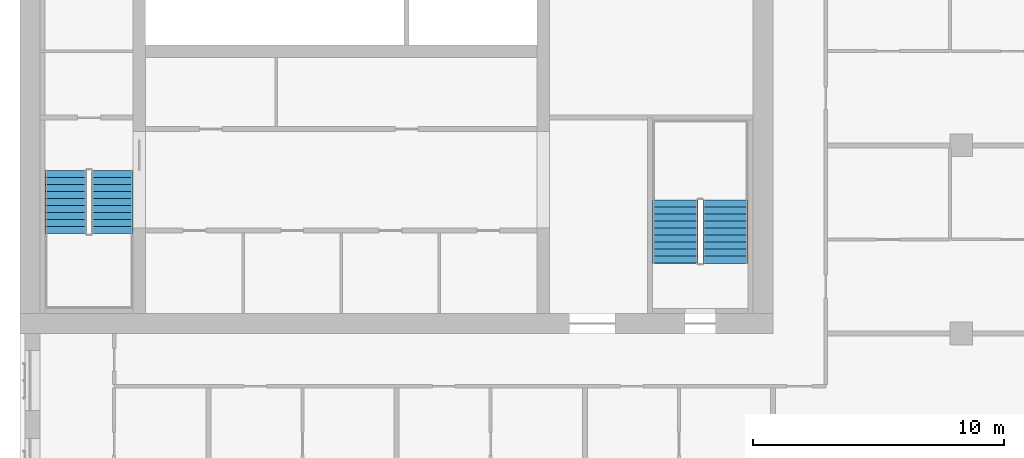
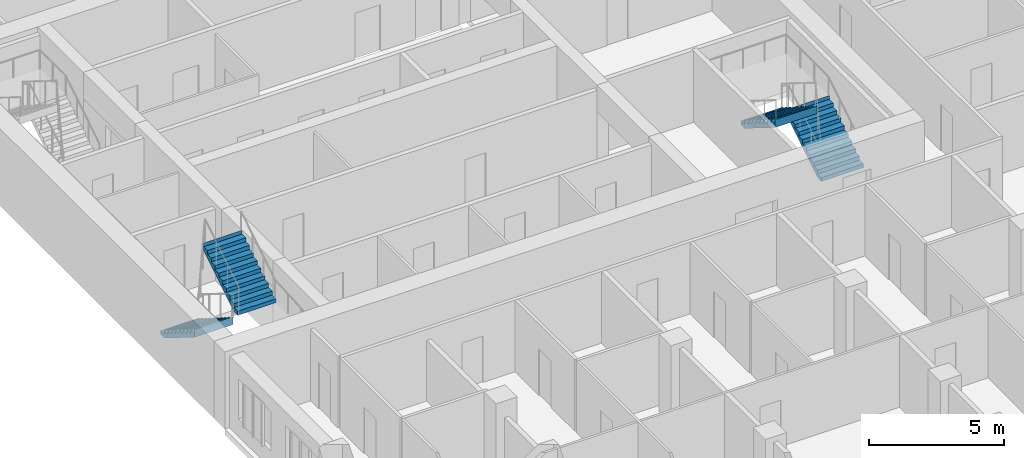
# One storey, part 12 of 14: 4 stair flights, 2 elements without a shape of their own.
"""IFC4 building model written with IfcOpenShell, lengths in metres."""

from ifc_helpers import new_model, si_unit, direction, frame, origin, place, context, subcontext, project, spatial, polyline, outline, extrude, material, type_object, element, aggregate, save


model = new_model("IFC4")

# Units and contexts
model_context = context("Model", 3, precision=1e-05, world=origin(), true_north=direction((0.0, 1.0)))
body_context = subcontext(model_context, "Body", "Model", "MODEL_VIEW")
ifc_project = project(units=[si_unit("LENGTHUNIT", "METRE"), si_unit("AREAUNIT", "SQUARE_METRE"), si_unit("VOLUMEUNIT", "CUBIC_METRE"), si_unit("PLANEANGLEUNIT", "RADIAN"), si_unit("MASSUNIT", "GRAM", prefix="KILO")], contexts=[model_context])

# Site, building, storey
site_placement = place(None, origin())
site = spatial("IfcSite", under=ifc_project, at=site_placement, CompositionType="ELEMENT")
building_placement = place(site_placement, origin())
building = spatial("IfcBuilding", under=site, at=building_placement, Name="Tamorin Gate", CompositionType="ELEMENT")
storey_placement = place(building_placement, frame((0.0, 0.0, 186.199951171875)))
storey = spatial("IfcBuildingStorey", under=building, at=storey_placement, Name="L45", CompositionType="ELEMENT", Elevation=186.199951171875)

# Stair, stair flights
ifc_material = material(Name="Concrete C40/50", Category="concrete")
stair_type = type_object("IfcStairType", Name="Exit stair", PredefinedType="HALF_TURN_STAIR", material=ifc_material)
stair_1_placement = place(storey_placement, origin())
stair_1 = element("IfcStair", 1, at=stair_1_placement, inside=storey, type_object=stair_type, Name="L45 stair ST1", PredefinedType="HALF_TURN_STAIR")
stair_flight_type = type_object("IfcStairFlightType", Name="Exit stair flight", PredefinedType="STRAIGHT", material=ifc_material)
stair_flight_1_placement = place(storey_placement, frame((31.824951171875, 66.5, 0.0), z_axis=(0.0, 0.0, 1.0), x_axis=(0.0, -1.0, 0.0)))
stair_flight_1 = element("IfcStairFlight", 2, at=stair_flight_1_placement, type_object=stair_flight_type, Name="ST1 flight 1", NumberOfRisers=10, NumberOfTreads=9, PredefinedType="STRAIGHT", RiserHeight=0.175, TreadLength=0.28, context=body_context, shape_type="SweptSolid", body=[
    extrude(outline(polyline([(-0.00048828125, 0.0), (-0.00048828125, 0.001708984375), (-0.00048828125, 0.00341796875), (-0.00048828125, 0.005126953125), (-0.00048828125, 0.0068359375), (-0.00048828125, 0.008544921875), (-0.00048828125, 0.010498046875), (-0.00048828125, 0.01220703125), (-0.00048828125, 0.013916015625), (-0.00048828125, 0.015625), (-0.00048828125, 0.017333984375), (-0.00048828125, 0.01904296875), (-0.00048828125, 0.020751953125), (-0.00048828125, 0.0224609375), (-0.00048828125, 0.024169921875), (-0.00048828125, 0.02587890625), (-0.00048828125, 0.02783203125), (-0.00048828125, 0.029541015625), (-0.00048828125, 0.03125), (-0.00048828125, 0.032958984375), (-0.00048828125, 0.03466796875), (-0.00048828125, 0.036376953125), (-0.00048828125, 0.0380859375), (-0.00048828125, 0.039794921875), (-0.00048828125, 0.04150390625), (-0.00048828125, 0.043212890625), (-0.00048828125, 0.045166015625), (-0.00048828125, 0.046875), (-0.00048828125, 0.048583984375), (-0.00048828125, 0.05029296875), (-0.00048828125, 0.052001953125), (-0.00048828125, 0.0537109375), (-0.00048828125, 0.055419921875), (-0.00048828125, 0.05712890625), (-0.00048828125, 0.058837890625), (-0.00048828125, 0.060546875), (-0.00048828125, 0.062255859375), (-0.00048828125, 0.064208984375), (-0.00048828125, 0.06591796875), (-0.00048828125, 0.067626953125), (-0.00048828125, 0.0693359375), (-0.00048828125, 0.071044921875), (-0.00048828125, 0.07275390625), (-0.00048828125, 0.074462890625), (-0.00048828125, 0.076171875), (-0.00048828125, 0.077880859375), (-0.00048828125, 0.07958984375), (-0.00048828125, 0.08154296875), (-0.00048828125, 0.083251953125), (-0.00048828125, 0.0849609375), (-0.00048828125, 0.086669921875), (-0.00048828125, 0.08837890625), (-0.00048828125, 0.090087890625), (-0.00048828125, 0.091796875), (-0.00048828125, 0.093505859375), (-0.00048828125, 0.09521484375), (-0.00048828125, 0.096923828125), (-0.00048828125, 0.098876953125), (-0.00048828125, 0.1005859375), (-0.00048828125, 0.102294921875), (-0.00048828125, 0.10400390625), (-0.00048828125, 0.105712890625), (-0.00048828125, 0.107421875), (-0.00048828125, 0.109130859375), (-0.00048828125, 0.11083984375), (-0.00048828125, 0.112548828125), (-0.00048828125, 0.1142578125), (-0.00048828125, 0.1162109375), (-0.00048828125, 0.117919921875), (-0.00048828125, 0.11962890625), (-0.00048828125, 0.121337890625), (-0.00048828125, 0.123046875), (-0.00048828125, 0.124755859375), (-0.00048828125, 0.12646484375), (-0.00048828125, 0.128173828125), (-0.00048828125, 0.1298828125), (-0.00048828125, 0.131591796875), (-0.00048828125, 0.13330078125), (-0.00048828125, 0.13525390625), (-0.00048828125, 0.136962890625), (-0.00048828125, 0.138671875), (-0.00048828125, 0.140380859375), (-0.00048828125, 0.14208984375), (-0.00048828125, 0.143798828125), (-0.00048828125, 0.1455078125), (-0.00048828125, 0.147216796875), (-0.00048828125, 0.14892578125), (-0.00048828125, 0.150634765625), (-0.00048828125, 0.152587890625), (-0.00048828125, 0.154296875), (-0.00048828125, 0.156005859375), (-0.00048828125, 0.15771484375), (-0.00048828125, 0.159423828125), (-0.00048828125, 0.1611328125), (-0.00048828125, 0.162841796875), (-0.00048828125, 0.16455078125), (-0.00048828125, 0.166259765625), (-0.00048828125, 0.16796875), (-0.00048828125, 0.169921875), (-0.00048828125, 0.171630859375), (-0.00048828125, 0.17333984375), (-0.00048828125, 0.175048828125), (0.280029296875, 0.175048828125), (0.280029296875, 0.35009765625), (0.56005859375, 0.35009765625), (0.56005859375, 0.52490234375), (0.840087890625, 0.52490234375), (0.840087890625, 0.699951171875), (1.1201171875, 0.699951171875), (1.1201171875, 0.875), (1.39990234375, 0.875), (1.39990234375, 1.050048828125), (1.679931640625, 1.050048828125), (1.679931640625, 1.22509765625), (1.9599609375, 1.22509765625), (1.9599609375, 1.39990234375), (2.239990234375, 1.39990234375), (2.239990234375, 1.574951171875), (2.52001953125, 1.574951171875), (2.52001953125, 1.75), (2.5205078125, 1.75), (2.5205078125, 1.74658203125), (2.5205078125, 1.742919921875), (2.5205078125, 1.739501953125), (2.5205078125, 1.736083984375), (2.5205078125, 1.732666015625), (2.5205078125, 1.72900390625), (2.5205078125, 1.7255859375), (2.5205078125, 1.72216796875), (2.5205078125, 1.71875), (2.5205078125, 1.715087890625), (2.5205078125, 1.711669921875), (2.5205078125, 1.708251953125), (2.5205078125, 1.704833984375), (2.5205078125, 1.701171875), (2.5205078125, 1.69775390625), (2.5205078125, 1.6943359375), (2.5205078125, 1.690673828125), (2.5205078125, 1.687255859375), (2.5205078125, 1.683837890625), (2.5205078125, 1.680419921875), (2.5205078125, 1.6767578125), (2.5205078125, 1.67333984375), (2.5205078125, 1.669921875), (2.5205078125, 1.66650390625), (2.5205078125, 1.662841796875), (2.5205078125, 1.659423828125), (2.5205078125, 1.656005859375), (2.5205078125, 1.652587890625), (2.5205078125, 1.64892578125), (2.5205078125, 1.6455078125), (2.5205078125, 1.64208984375), (2.5205078125, 1.638427734375), (2.5205078125, 1.635009765625), (2.5205078125, 1.631591796875), (2.5205078125, 1.628173828125), (2.5205078125, 1.62451171875), (2.5205078125, 1.62109375), (2.5205078125, 1.61767578125), (2.5205078125, 1.6142578125), (2.5205078125, 1.610595703125), (2.5205078125, 1.607177734375), (2.5205078125, 1.603759765625), (2.5205078125, 1.600341796875), (2.5205078125, 1.5966796875), (2.5205078125, 1.59326171875), (2.5205078125, 1.58984375), (2.5205078125, 1.58642578125), (2.5205078125, 1.582763671875), (2.5205078125, 1.579345703125), (2.5205078125, 1.575927734375), (2.5205078125, 1.572265625), (2.5205078125, 1.56884765625), (2.5205078125, 1.5654296875), (2.5205078125, 1.56201171875), (2.5205078125, 1.558349609375), (2.5205078125, 1.554931640625), (2.5205078125, 1.551513671875), (2.5205078125, 1.548095703125), (2.5205078125, 1.54443359375), (2.5205078125, 1.541015625), (2.5205078125, 1.53759765625), (2.5205078125, 1.5341796875), (2.5205078125, 1.530517578125), (2.5205078125, 1.527099609375), (2.5205078125, 1.523681640625), (2.5205078125, 1.52001953125), (2.5205078125, 1.5166015625), (2.5205078125, 1.51318359375), (2.5205078125, 1.509765625), (2.5205078125, 1.506103515625), (2.5205078125, 1.502685546875), (2.5205078125, 1.499267578125), (2.5205078125, 1.495849609375), (2.5205078125, 1.4921875), (2.5205078125, 1.48876953125), (2.5205078125, 1.4853515625), (2.5205078125, 1.48193359375), (2.5205078125, 1.478271484375), (2.5205078125, 1.474853515625), (2.5205078125, 1.471435546875), (2.5205078125, 1.4677734375), (2.5205078125, 1.46435546875), (2.5205078125, 1.4609375), (2.5205078125, 1.45751953125), (2.5205078125, 1.453857421875), (2.5205078125, 1.450439453125), (2.5205078125, 1.447021484375), (2.5205078125, 1.443603515625), (2.5205078125, 1.43994140625), (2.5205078125, 1.4365234375), (2.5205078125, 1.43310546875), (2.5205078125, 1.4296875), (2.5205078125, 1.426025390625), (2.5205078125, 1.422607421875), (2.5205078125, 1.419189453125), (2.5205078125, 1.41552734375), (2.5205078125, 1.412109375), (2.5205078125, 1.40869140625), (2.5205078125, 1.4052734375), (2.5205078125, 1.401611328125), (2.5205078125, 1.398193359375), (2.52001953125, 1.398193359375), (0.28271484375, 0.0), (-0.00048828125, 0.0)])), frame((0.0, 0.824951171875, 0.0), z_axis=(0.0, -1.0, 0.0), x_axis=(1.0, 0.0, 0.0)), (0.0, 0.0, 1.0), 1.64990234375),
])
stair_flight_2_placement = place(storey_placement, frame((33.675048828125, 63.97998046875, 1.75), z_axis=(0.0, 0.0, 1.0), x_axis=(0.0, 1.0, 0.0)))
stair_flight_2 = element("IfcStairFlight", 3, at=stair_flight_2_placement, type_object=stair_flight_type, Name="ST1 flight 2", NumberOfRisers=10, NumberOfTreads=9, PredefinedType="STRAIGHT", RiserHeight=0.175, TreadLength=0.28, context=body_context, shape_type="SweptSolid", body=[
    extrude(outline(polyline([(-0.00048828125, 0.0), (-0.00048828125, 0.001708984375), (-0.00048828125, 0.00341796875), (-0.00048828125, 0.005126953125), (-0.00048828125, 0.0068359375), (-0.00048828125, 0.008544921875), (-0.00048828125, 0.010498046875), (-0.00048828125, 0.01220703125), (-0.00048828125, 0.013916015625), (-0.00048828125, 0.015625), (-0.00048828125, 0.017333984375), (-0.00048828125, 0.01904296875), (-0.00048828125, 0.020751953125), (-0.00048828125, 0.0224609375), (-0.00048828125, 0.024169921875), (-0.00048828125, 0.02587890625), (-0.00048828125, 0.02783203125), (-0.00048828125, 0.029541015625), (-0.00048828125, 0.03125), (-0.00048828125, 0.032958984375), (-0.00048828125, 0.03466796875), (-0.00048828125, 0.036376953125), (-0.00048828125, 0.0380859375), (-0.00048828125, 0.039794921875), (-0.00048828125, 0.04150390625), (-0.00048828125, 0.043212890625), (-0.00048828125, 0.045166015625), (-0.00048828125, 0.046875), (-0.00048828125, 0.048583984375), (-0.00048828125, 0.05029296875), (-0.00048828125, 0.052001953125), (-0.00048828125, 0.0537109375), (-0.00048828125, 0.055419921875), (-0.00048828125, 0.05712890625), (-0.00048828125, 0.058837890625), (-0.00048828125, 0.060546875), (-0.00048828125, 0.062255859375), (-0.00048828125, 0.064208984375), (-0.00048828125, 0.06591796875), (-0.00048828125, 0.067626953125), (-0.00048828125, 0.0693359375), (-0.00048828125, 0.071044921875), (-0.00048828125, 0.07275390625), (-0.00048828125, 0.074462890625), (-0.00048828125, 0.076171875), (-0.00048828125, 0.077880859375), (-0.00048828125, 0.07958984375), (-0.00048828125, 0.08154296875), (-0.00048828125, 0.083251953125), (-0.00048828125, 0.0849609375), (-0.00048828125, 0.086669921875), (-0.00048828125, 0.08837890625), (-0.00048828125, 0.090087890625), (-0.00048828125, 0.091796875), (-0.00048828125, 0.093505859375), (-0.00048828125, 0.09521484375), (-0.00048828125, 0.096923828125), (-0.00048828125, 0.098876953125), (-0.00048828125, 0.1005859375), (-0.00048828125, 0.102294921875), (-0.00048828125, 0.10400390625), (-0.00048828125, 0.105712890625), (-0.00048828125, 0.107421875), (-0.00048828125, 0.109130859375), (-0.00048828125, 0.11083984375), (-0.00048828125, 0.112548828125), (-0.00048828125, 0.1142578125), (-0.00048828125, 0.1162109375), (-0.00048828125, 0.117919921875), (-0.00048828125, 0.11962890625), (-0.00048828125, 0.121337890625), (-0.00048828125, 0.123046875), (-0.00048828125, 0.124755859375), (-0.00048828125, 0.12646484375), (-0.00048828125, 0.128173828125), (-0.00048828125, 0.1298828125), (-0.00048828125, 0.131591796875), (-0.00048828125, 0.13330078125), (-0.00048828125, 0.13525390625), (-0.00048828125, 0.136962890625), (-0.00048828125, 0.138671875), (-0.00048828125, 0.140380859375), (-0.00048828125, 0.14208984375), (-0.00048828125, 0.143798828125), (-0.00048828125, 0.1455078125), (-0.00048828125, 0.147216796875), (-0.00048828125, 0.14892578125), (-0.00048828125, 0.150634765625), (-0.00048828125, 0.152587890625), (-0.00048828125, 0.154296875), (-0.00048828125, 0.156005859375), (-0.00048828125, 0.15771484375), (-0.00048828125, 0.159423828125), (-0.00048828125, 0.1611328125), (-0.00048828125, 0.162841796875), (-0.00048828125, 0.16455078125), (-0.00048828125, 0.166259765625), (-0.00048828125, 0.16796875), (-0.00048828125, 0.169921875), (-0.00048828125, 0.171630859375), (-0.00048828125, 0.17333984375), (-0.00048828125, 0.175048828125), (0.280029296875, 0.175048828125), (0.280029296875, 0.35009765625), (0.56005859375, 0.35009765625), (0.56005859375, 0.52490234375), (0.840087890625, 0.52490234375), (0.840087890625, 0.699951171875), (1.1201171875, 0.699951171875), (1.1201171875, 0.875), (1.39990234375, 0.875), (1.39990234375, 1.050048828125), (1.679931640625, 1.050048828125), (1.679931640625, 1.22509765625), (1.9599609375, 1.22509765625), (1.9599609375, 1.39990234375), (2.239990234375, 1.39990234375), (2.239990234375, 1.574951171875), (2.52001953125, 1.574951171875), (2.52001953125, 1.75), (2.5205078125, 1.75), (2.5205078125, 1.74658203125), (2.5205078125, 1.742919921875), (2.5205078125, 1.739501953125), (2.5205078125, 1.736083984375), (2.5205078125, 1.732666015625), (2.5205078125, 1.72900390625), (2.5205078125, 1.7255859375), (2.5205078125, 1.72216796875), (2.5205078125, 1.71875), (2.5205078125, 1.715087890625), (2.5205078125, 1.711669921875), (2.5205078125, 1.708251953125), (2.5205078125, 1.704833984375), (2.5205078125, 1.701171875), (2.5205078125, 1.69775390625), (2.5205078125, 1.6943359375), (2.5205078125, 1.690673828125), (2.5205078125, 1.687255859375), (2.5205078125, 1.683837890625), (2.5205078125, 1.680419921875), (2.5205078125, 1.6767578125), (2.5205078125, 1.67333984375), (2.5205078125, 1.669921875), (2.5205078125, 1.66650390625), (2.5205078125, 1.662841796875), (2.5205078125, 1.659423828125), (2.5205078125, 1.656005859375), (2.5205078125, 1.652587890625), (2.5205078125, 1.64892578125), (2.5205078125, 1.6455078125), (2.5205078125, 1.64208984375), (2.5205078125, 1.638427734375), (2.5205078125, 1.635009765625), (2.5205078125, 1.631591796875), (2.5205078125, 1.628173828125), (2.5205078125, 1.62451171875), (2.5205078125, 1.62109375), (2.5205078125, 1.61767578125), (2.5205078125, 1.6142578125), (2.5205078125, 1.610595703125), (2.5205078125, 1.607177734375), (2.5205078125, 1.603759765625), (2.5205078125, 1.600341796875), (2.5205078125, 1.5966796875), (2.5205078125, 1.59326171875), (2.5205078125, 1.58984375), (2.5205078125, 1.58642578125), (2.5205078125, 1.582763671875), (2.5205078125, 1.579345703125), (2.5205078125, 1.575927734375), (2.5205078125, 1.572265625), (2.5205078125, 1.56884765625), (2.5205078125, 1.5654296875), (2.5205078125, 1.56201171875), (2.5205078125, 1.558349609375), (2.5205078125, 1.554931640625), (2.5205078125, 1.551513671875), (2.5205078125, 1.548095703125), (2.5205078125, 1.54443359375), (2.5205078125, 1.541015625), (2.5205078125, 1.53759765625), (2.5205078125, 1.5341796875), (2.5205078125, 1.530517578125), (2.5205078125, 1.527099609375), (2.5205078125, 1.523681640625), (2.5205078125, 1.52001953125), (2.5205078125, 1.5166015625), (2.5205078125, 1.51318359375), (2.5205078125, 1.509765625), (2.5205078125, 1.506103515625), (2.5205078125, 1.502685546875), (2.5205078125, 1.499267578125), (2.5205078125, 1.495849609375), (2.5205078125, 1.4921875), (2.5205078125, 1.48876953125), (2.5205078125, 1.4853515625), (2.5205078125, 1.48193359375), (2.5205078125, 1.478271484375), (2.5205078125, 1.474853515625), (2.5205078125, 1.471435546875), (2.5205078125, 1.4677734375), (2.5205078125, 1.46435546875), (2.5205078125, 1.4609375), (2.5205078125, 1.45751953125), (2.5205078125, 1.453857421875), (2.5205078125, 1.450439453125), (2.5205078125, 1.447021484375), (2.5205078125, 1.443603515625), (2.5205078125, 1.43994140625), (2.5205078125, 1.4365234375), (2.5205078125, 1.43310546875), (2.5205078125, 1.4296875), (2.5205078125, 1.426025390625), (2.5205078125, 1.422607421875), (2.5205078125, 1.419189453125), (2.5205078125, 1.41552734375), (2.5205078125, 1.412109375), (2.5205078125, 1.40869140625), (2.5205078125, 1.4052734375), (2.5205078125, 1.401611328125), (2.5205078125, 1.398193359375), (2.52001953125, 1.398193359375), (0.28271484375, 0.0), (-0.00048828125, 0.0)])), frame((0.0, 0.824951171875, 0.0), z_axis=(0.0, -1.0, 0.0), x_axis=(1.0, 0.0, 0.0)), (0.0, 0.0, 1.0), 1.64990234375),
])
aggregate(stair_1, [stair_flight_1, stair_flight_2])

stair_2_placement = place(storey_placement, origin())
stair_2 = element("IfcStair", 4, at=stair_2_placement, inside=storey, type_object=stair_type, Name="L45 stair ST3", PredefinedType="HALF_TURN_STAIR")
stair_flight_3_placement = place(storey_placement, frame((58.10009765625, 62.800048828125, 0.0), z_axis=(0.0, 0.0, 1.0), x_axis=(0.0, 1.0, 0.0)))
stair_flight_3 = element("IfcStairFlight", 5, at=stair_flight_3_placement, type_object=stair_flight_type, Name="ST3 flight 1", NumberOfRisers=10, NumberOfTreads=9, PredefinedType="STRAIGHT", RiserHeight=0.175, TreadLength=0.28, context=body_context, shape_type="SweptSolid", body=[
    extrude(outline(polyline([(-0.00048828125, 0.0), (-0.00048828125, 0.001708984375), (-0.00048828125, 0.00341796875), (-0.00048828125, 0.005126953125), (-0.00048828125, 0.0068359375), (-0.00048828125, 0.008544921875), (-0.00048828125, 0.010498046875), (-0.00048828125, 0.01220703125), (-0.00048828125, 0.013916015625), (-0.00048828125, 0.015625), (-0.00048828125, 0.017333984375), (-0.00048828125, 0.01904296875), (-0.00048828125, 0.020751953125), (-0.00048828125, 0.0224609375), (-0.00048828125, 0.024169921875), (-0.00048828125, 0.02587890625), (-0.00048828125, 0.02783203125), (-0.00048828125, 0.029541015625), (-0.00048828125, 0.03125), (-0.00048828125, 0.032958984375), (-0.00048828125, 0.03466796875), (-0.00048828125, 0.036376953125), (-0.00048828125, 0.0380859375), (-0.00048828125, 0.039794921875), (-0.00048828125, 0.04150390625), (-0.00048828125, 0.043212890625), (-0.00048828125, 0.045166015625), (-0.00048828125, 0.046875), (-0.00048828125, 0.048583984375), (-0.00048828125, 0.05029296875), (-0.00048828125, 0.052001953125), (-0.00048828125, 0.0537109375), (-0.00048828125, 0.055419921875), (-0.00048828125, 0.05712890625), (-0.00048828125, 0.058837890625), (-0.00048828125, 0.060546875), (-0.00048828125, 0.062255859375), (-0.00048828125, 0.064208984375), (-0.00048828125, 0.06591796875), (-0.00048828125, 0.067626953125), (-0.00048828125, 0.0693359375), (-0.00048828125, 0.071044921875), (-0.00048828125, 0.07275390625), (-0.00048828125, 0.074462890625), (-0.00048828125, 0.076171875), (-0.00048828125, 0.077880859375), (-0.00048828125, 0.07958984375), (-0.00048828125, 0.08154296875), (-0.00048828125, 0.083251953125), (-0.00048828125, 0.0849609375), (-0.00048828125, 0.086669921875), (-0.00048828125, 0.08837890625), (-0.00048828125, 0.090087890625), (-0.00048828125, 0.091796875), (-0.00048828125, 0.093505859375), (-0.00048828125, 0.09521484375), (-0.00048828125, 0.096923828125), (-0.00048828125, 0.098876953125), (-0.00048828125, 0.1005859375), (-0.00048828125, 0.102294921875), (-0.00048828125, 0.10400390625), (-0.00048828125, 0.105712890625), (-0.00048828125, 0.107421875), (-0.00048828125, 0.109130859375), (-0.00048828125, 0.11083984375), (-0.00048828125, 0.112548828125), (-0.00048828125, 0.1142578125), (-0.00048828125, 0.1162109375), (-0.00048828125, 0.117919921875), (-0.00048828125, 0.11962890625), (-0.00048828125, 0.121337890625), (-0.00048828125, 0.123046875), (-0.00048828125, 0.124755859375), (-0.00048828125, 0.12646484375), (-0.00048828125, 0.128173828125), (-0.00048828125, 0.1298828125), (-0.00048828125, 0.131591796875), (-0.00048828125, 0.13330078125), (-0.00048828125, 0.13525390625), (-0.00048828125, 0.136962890625), (-0.00048828125, 0.138671875), (-0.00048828125, 0.140380859375), (-0.00048828125, 0.14208984375), (-0.00048828125, 0.143798828125), (-0.00048828125, 0.1455078125), (-0.00048828125, 0.147216796875), (-0.00048828125, 0.14892578125), (-0.00048828125, 0.150634765625), (-0.00048828125, 0.152587890625), (-0.00048828125, 0.154296875), (-0.00048828125, 0.156005859375), (-0.00048828125, 0.15771484375), (-0.00048828125, 0.159423828125), (-0.00048828125, 0.1611328125), (-0.00048828125, 0.162841796875), (-0.00048828125, 0.16455078125), (-0.00048828125, 0.166259765625), (-0.00048828125, 0.16796875), (-0.00048828125, 0.169921875), (-0.00048828125, 0.171630859375), (-0.00048828125, 0.17333984375), (-0.00048828125, 0.175048828125), (0.280029296875, 0.175048828125), (0.280029296875, 0.35009765625), (0.56005859375, 0.35009765625), (0.56005859375, 0.52490234375), (0.840087890625, 0.52490234375), (0.840087890625, 0.699951171875), (1.1201171875, 0.699951171875), (1.1201171875, 0.875), (1.39990234375, 0.875), (1.39990234375, 1.050048828125), (1.679931640625, 1.050048828125), (1.679931640625, 1.22509765625), (1.9599609375, 1.22509765625), (1.9599609375, 1.39990234375), (2.239990234375, 1.39990234375), (2.239990234375, 1.574951171875), (2.52001953125, 1.574951171875), (2.52001953125, 1.75), (2.5205078125, 1.75), (2.5205078125, 1.74658203125), (2.5205078125, 1.742919921875), (2.5205078125, 1.739501953125), (2.5205078125, 1.736083984375), (2.5205078125, 1.732666015625), (2.5205078125, 1.72900390625), (2.5205078125, 1.7255859375), (2.5205078125, 1.72216796875), (2.5205078125, 1.71875), (2.5205078125, 1.715087890625), (2.5205078125, 1.711669921875), (2.5205078125, 1.708251953125), (2.5205078125, 1.704833984375), (2.5205078125, 1.701171875), (2.5205078125, 1.69775390625), (2.5205078125, 1.6943359375), (2.5205078125, 1.690673828125), (2.5205078125, 1.687255859375), (2.5205078125, 1.683837890625), (2.5205078125, 1.680419921875), (2.5205078125, 1.6767578125), (2.5205078125, 1.67333984375), (2.5205078125, 1.669921875), (2.5205078125, 1.66650390625), (2.5205078125, 1.662841796875), (2.5205078125, 1.659423828125), (2.5205078125, 1.656005859375), (2.5205078125, 1.652587890625), (2.5205078125, 1.64892578125), (2.5205078125, 1.6455078125), (2.5205078125, 1.64208984375), (2.5205078125, 1.638427734375), (2.5205078125, 1.635009765625), (2.5205078125, 1.631591796875), (2.5205078125, 1.628173828125), (2.5205078125, 1.62451171875), (2.5205078125, 1.62109375), (2.5205078125, 1.61767578125), (2.5205078125, 1.6142578125), (2.5205078125, 1.610595703125), (2.5205078125, 1.607177734375), (2.5205078125, 1.603759765625), (2.5205078125, 1.600341796875), (2.5205078125, 1.5966796875), (2.5205078125, 1.59326171875), (2.5205078125, 1.58984375), (2.5205078125, 1.58642578125), (2.5205078125, 1.582763671875), (2.5205078125, 1.579345703125), (2.5205078125, 1.575927734375), (2.5205078125, 1.572265625), (2.5205078125, 1.56884765625), (2.5205078125, 1.5654296875), (2.5205078125, 1.56201171875), (2.5205078125, 1.558349609375), (2.5205078125, 1.554931640625), (2.5205078125, 1.551513671875), (2.5205078125, 1.548095703125), (2.5205078125, 1.54443359375), (2.5205078125, 1.541015625), (2.5205078125, 1.53759765625), (2.5205078125, 1.5341796875), (2.5205078125, 1.530517578125), (2.5205078125, 1.527099609375), (2.5205078125, 1.523681640625), (2.5205078125, 1.52001953125), (2.5205078125, 1.5166015625), (2.5205078125, 1.51318359375), (2.5205078125, 1.509765625), (2.5205078125, 1.506103515625), (2.5205078125, 1.502685546875), (2.5205078125, 1.499267578125), (2.5205078125, 1.495849609375), (2.5205078125, 1.4921875), (2.5205078125, 1.48876953125), (2.5205078125, 1.4853515625), (2.5205078125, 1.48193359375), (2.5205078125, 1.478271484375), (2.5205078125, 1.474853515625), (2.5205078125, 1.471435546875), (2.5205078125, 1.4677734375), (2.5205078125, 1.46435546875), (2.5205078125, 1.4609375), (2.5205078125, 1.45751953125), (2.5205078125, 1.453857421875), (2.5205078125, 1.450439453125), (2.5205078125, 1.447021484375), (2.5205078125, 1.443603515625), (2.5205078125, 1.43994140625), (2.5205078125, 1.4365234375), (2.5205078125, 1.43310546875), (2.5205078125, 1.4296875), (2.5205078125, 1.426025390625), (2.5205078125, 1.422607421875), (2.5205078125, 1.419189453125), (2.5205078125, 1.41552734375), (2.5205078125, 1.412109375), (2.5205078125, 1.40869140625), (2.5205078125, 1.4052734375), (2.5205078125, 1.401611328125), (2.5205078125, 1.398193359375), (2.52001953125, 1.398193359375), (0.28271484375, 0.0), (-0.00048828125, 0.0)])), frame((0.0, 0.89990234375, 0.0), z_axis=(0.0, -1.0, 0.0), x_axis=(1.0, 0.0, 0.0)), (0.0, 0.0, 1.0), 1.800048828125),
])
stair_flight_4_placement = place(storey_placement, frame((56.10009765625, 65.320068359375, 1.75), z_axis=(0.0, 0.0, 1.0), x_axis=(0.0, -1.0, 0.0)))
stair_flight_4 = element("IfcStairFlight", 6, at=stair_flight_4_placement, type_object=stair_flight_type, Name="ST3 flight 2", NumberOfRisers=10, NumberOfTreads=9, PredefinedType="STRAIGHT", RiserHeight=0.175, TreadLength=0.28, context=body_context, shape_type="SweptSolid", body=[
    extrude(outline(polyline([(-0.00048828125, 0.0), (-0.00048828125, 0.001708984375), (-0.00048828125, 0.00341796875), (-0.00048828125, 0.005126953125), (-0.00048828125, 0.0068359375), (-0.00048828125, 0.008544921875), (-0.00048828125, 0.010498046875), (-0.00048828125, 0.01220703125), (-0.00048828125, 0.013916015625), (-0.00048828125, 0.015625), (-0.00048828125, 0.017333984375), (-0.00048828125, 0.01904296875), (-0.00048828125, 0.020751953125), (-0.00048828125, 0.0224609375), (-0.00048828125, 0.024169921875), (-0.00048828125, 0.02587890625), (-0.00048828125, 0.02783203125), (-0.00048828125, 0.029541015625), (-0.00048828125, 0.03125), (-0.00048828125, 0.032958984375), (-0.00048828125, 0.03466796875), (-0.00048828125, 0.036376953125), (-0.00048828125, 0.0380859375), (-0.00048828125, 0.039794921875), (-0.00048828125, 0.04150390625), (-0.00048828125, 0.043212890625), (-0.00048828125, 0.045166015625), (-0.00048828125, 0.046875), (-0.00048828125, 0.048583984375), (-0.00048828125, 0.05029296875), (-0.00048828125, 0.052001953125), (-0.00048828125, 0.0537109375), (-0.00048828125, 0.055419921875), (-0.00048828125, 0.05712890625), (-0.00048828125, 0.058837890625), (-0.00048828125, 0.060546875), (-0.00048828125, 0.062255859375), (-0.00048828125, 0.064208984375), (-0.00048828125, 0.06591796875), (-0.00048828125, 0.067626953125), (-0.00048828125, 0.0693359375), (-0.00048828125, 0.071044921875), (-0.00048828125, 0.07275390625), (-0.00048828125, 0.074462890625), (-0.00048828125, 0.076171875), (-0.00048828125, 0.077880859375), (-0.00048828125, 0.07958984375), (-0.00048828125, 0.08154296875), (-0.00048828125, 0.083251953125), (-0.00048828125, 0.0849609375), (-0.00048828125, 0.086669921875), (-0.00048828125, 0.08837890625), (-0.00048828125, 0.090087890625), (-0.00048828125, 0.091796875), (-0.00048828125, 0.093505859375), (-0.00048828125, 0.09521484375), (-0.00048828125, 0.096923828125), (-0.00048828125, 0.098876953125), (-0.00048828125, 0.1005859375), (-0.00048828125, 0.102294921875), (-0.00048828125, 0.10400390625), (-0.00048828125, 0.105712890625), (-0.00048828125, 0.107421875), (-0.00048828125, 0.109130859375), (-0.00048828125, 0.11083984375), (-0.00048828125, 0.112548828125), (-0.00048828125, 0.1142578125), (-0.00048828125, 0.1162109375), (-0.00048828125, 0.117919921875), (-0.00048828125, 0.11962890625), (-0.00048828125, 0.121337890625), (-0.00048828125, 0.123046875), (-0.00048828125, 0.124755859375), (-0.00048828125, 0.12646484375), (-0.00048828125, 0.128173828125), (-0.00048828125, 0.1298828125), (-0.00048828125, 0.131591796875), (-0.00048828125, 0.13330078125), (-0.00048828125, 0.13525390625), (-0.00048828125, 0.136962890625), (-0.00048828125, 0.138671875), (-0.00048828125, 0.140380859375), (-0.00048828125, 0.14208984375), (-0.00048828125, 0.143798828125), (-0.00048828125, 0.1455078125), (-0.00048828125, 0.147216796875), (-0.00048828125, 0.14892578125), (-0.00048828125, 0.150634765625), (-0.00048828125, 0.152587890625), (-0.00048828125, 0.154296875), (-0.00048828125, 0.156005859375), (-0.00048828125, 0.15771484375), (-0.00048828125, 0.159423828125), (-0.00048828125, 0.1611328125), (-0.00048828125, 0.162841796875), (-0.00048828125, 0.16455078125), (-0.00048828125, 0.166259765625), (-0.00048828125, 0.16796875), (-0.00048828125, 0.169921875), (-0.00048828125, 0.171630859375), (-0.00048828125, 0.17333984375), (-0.00048828125, 0.175048828125), (0.280029296875, 0.175048828125), (0.280029296875, 0.35009765625), (0.56005859375, 0.35009765625), (0.56005859375, 0.52490234375), (0.840087890625, 0.52490234375), (0.840087890625, 0.699951171875), (1.1201171875, 0.699951171875), (1.1201171875, 0.875), (1.39990234375, 0.875), (1.39990234375, 1.050048828125), (1.679931640625, 1.050048828125), (1.679931640625, 1.22509765625), (1.9599609375, 1.22509765625), (1.9599609375, 1.39990234375), (2.239990234375, 1.39990234375), (2.239990234375, 1.574951171875), (2.52001953125, 1.574951171875), (2.52001953125, 1.75), (2.5205078125, 1.75), (2.5205078125, 1.74658203125), (2.5205078125, 1.742919921875), (2.5205078125, 1.739501953125), (2.5205078125, 1.736083984375), (2.5205078125, 1.732666015625), (2.5205078125, 1.72900390625), (2.5205078125, 1.7255859375), (2.5205078125, 1.72216796875), (2.5205078125, 1.71875), (2.5205078125, 1.715087890625), (2.5205078125, 1.711669921875), (2.5205078125, 1.708251953125), (2.5205078125, 1.704833984375), (2.5205078125, 1.701171875), (2.5205078125, 1.69775390625), (2.5205078125, 1.6943359375), (2.5205078125, 1.690673828125), (2.5205078125, 1.687255859375), (2.5205078125, 1.683837890625), (2.5205078125, 1.680419921875), (2.5205078125, 1.6767578125), (2.5205078125, 1.67333984375), (2.5205078125, 1.669921875), (2.5205078125, 1.66650390625), (2.5205078125, 1.662841796875), (2.5205078125, 1.659423828125), (2.5205078125, 1.656005859375), (2.5205078125, 1.652587890625), (2.5205078125, 1.64892578125), (2.5205078125, 1.6455078125), (2.5205078125, 1.64208984375), (2.5205078125, 1.638427734375), (2.5205078125, 1.635009765625), (2.5205078125, 1.631591796875), (2.5205078125, 1.628173828125), (2.5205078125, 1.62451171875), (2.5205078125, 1.62109375), (2.5205078125, 1.61767578125), (2.5205078125, 1.6142578125), (2.5205078125, 1.610595703125), (2.5205078125, 1.607177734375), (2.5205078125, 1.603759765625), (2.5205078125, 1.600341796875), (2.5205078125, 1.5966796875), (2.5205078125, 1.59326171875), (2.5205078125, 1.58984375), (2.5205078125, 1.58642578125), (2.5205078125, 1.582763671875), (2.5205078125, 1.579345703125), (2.5205078125, 1.575927734375), (2.5205078125, 1.572265625), (2.5205078125, 1.56884765625), (2.5205078125, 1.5654296875), (2.5205078125, 1.56201171875), (2.5205078125, 1.558349609375), (2.5205078125, 1.554931640625), (2.5205078125, 1.551513671875), (2.5205078125, 1.548095703125), (2.5205078125, 1.54443359375), (2.5205078125, 1.541015625), (2.5205078125, 1.53759765625), (2.5205078125, 1.5341796875), (2.5205078125, 1.530517578125), (2.5205078125, 1.527099609375), (2.5205078125, 1.523681640625), (2.5205078125, 1.52001953125), (2.5205078125, 1.5166015625), (2.5205078125, 1.51318359375), (2.5205078125, 1.509765625), (2.5205078125, 1.506103515625), (2.5205078125, 1.502685546875), (2.5205078125, 1.499267578125), (2.5205078125, 1.495849609375), (2.5205078125, 1.4921875), (2.5205078125, 1.48876953125), (2.5205078125, 1.4853515625), (2.5205078125, 1.48193359375), (2.5205078125, 1.478271484375), (2.5205078125, 1.474853515625), (2.5205078125, 1.471435546875), (2.5205078125, 1.4677734375), (2.5205078125, 1.46435546875), (2.5205078125, 1.4609375), (2.5205078125, 1.45751953125), (2.5205078125, 1.453857421875), (2.5205078125, 1.450439453125), (2.5205078125, 1.447021484375), (2.5205078125, 1.443603515625), (2.5205078125, 1.43994140625), (2.5205078125, 1.4365234375), (2.5205078125, 1.43310546875), (2.5205078125, 1.4296875), (2.5205078125, 1.426025390625), (2.5205078125, 1.422607421875), (2.5205078125, 1.419189453125), (2.5205078125, 1.41552734375), (2.5205078125, 1.412109375), (2.5205078125, 1.40869140625), (2.5205078125, 1.4052734375), (2.5205078125, 1.401611328125), (2.5205078125, 1.398193359375), (2.52001953125, 1.398193359375), (0.28271484375, 0.0), (-0.00048828125, 0.0)])), frame((0.0, 0.89990234375, 0.0), z_axis=(0.0, -1.0, 0.0), x_axis=(1.0, 0.0, 0.0)), (0.0, 0.0, 1.0), 1.800048828125),
])
aggregate(stair_2, [stair_flight_3, stair_flight_4])

save(model, "model.ifc")
